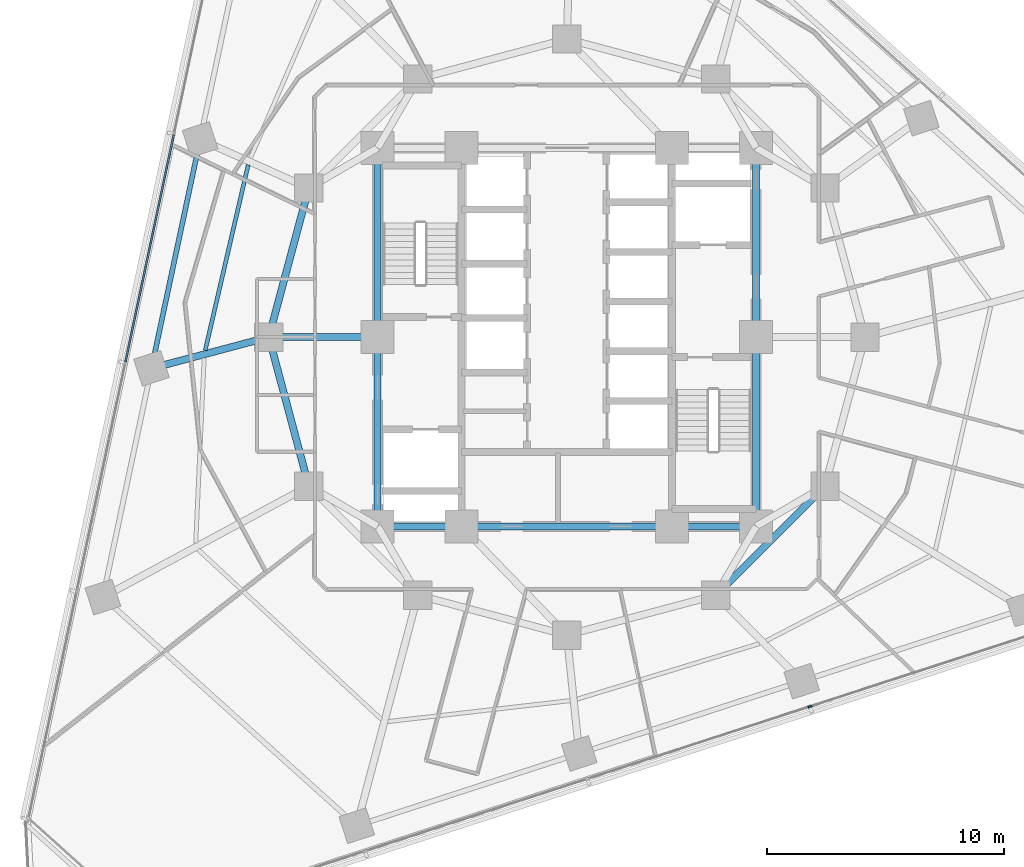
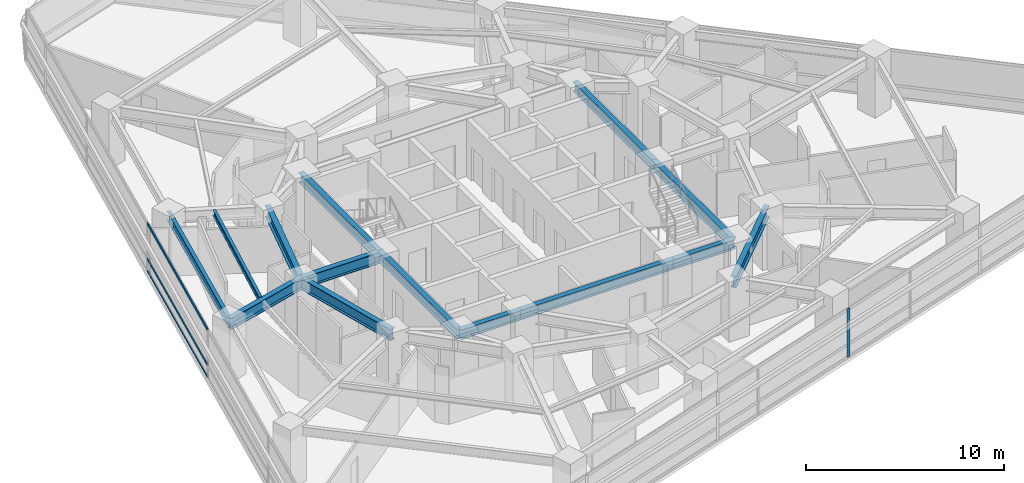
# One storey, part 3 of 13: 14 beams, 4 members, 2 elements without a shape of their own.
"""IFC4 building model written with IfcOpenShell, lengths in metres."""

from ifc_helpers import new_model, si_unit, direction, frame, origin, origin_2d, place, context, subcontext, project, spatial, rectangle, i_section, extrude, material, layer, layer_set, material_profile, profile_set, type_object, element, aggregate, save


model = new_model("IFC4")

# Units and contexts
model_context = context("Model", 3, precision=1e-05, world=origin(), true_north=direction((0.0, 1.0)))
body_context = subcontext(model_context, "Body", "Model", "MODEL_VIEW")
ifc_project = project(units=[si_unit("LENGTHUNIT", "METRE"), si_unit("AREAUNIT", "SQUARE_METRE"), si_unit("VOLUMEUNIT", "CUBIC_METRE"), si_unit("PLANEANGLEUNIT", "RADIAN"), si_unit("MASSUNIT", "GRAM", prefix="KILO")], contexts=[model_context])

# Site, building, storey
site_placement = place(None, origin())
site = spatial("IfcSite", under=ifc_project, at=site_placement, CompositionType="ELEMENT")
building_placement = place(site_placement, origin())
building = spatial("IfcBuilding", under=site, at=building_placement, Name="Terralouvre Media Tower", CompositionType="ELEMENT")
storey_placement = place(building_placement, frame((0.0, 0.0, 101.39990234375)))
storey = spatial("IfcBuildingStorey", under=building, at=storey_placement, Name="L25", CompositionType="ELEMENT", Elevation=101.39990234375)

# Beam
ifc_material_1 = material(Name="Structural steel S355J2", Category="steel")
ifc_material_profile_1 = material_profile(ifc_material_1, i_section(OverallWidth=0.169921875, OverallDepth=0.360107421875, WebThickness=0.008056640625, FlangeThickness=0.0126953125, at=origin_2d()), Name="IPE 360")
ifc_profile_set_1 = profile_set([ifc_material_profile_1], Name="Structural steel S355J2")
beam_type_1 = type_object("IfcBeamType", Name="Composite Floor Joist J-IPE360 (IPE 360)", PredefinedType="JOIST", material=ifc_profile_set_1)
beam_1_placement = place(storey_placement, frame((-13.47216796875, 7.28076171875, 3.320068359375), z_axis=(-0.225820426646, -0.974168945774, 0.0), x_axis=(0.974168945774, -0.225820426646, 0.0)))
element("IfcBeam", 1, at=beam_1_placement, inside=storey, type_object=beam_type_1, Name="L25 Framing Beam JT-L25-12", PredefinedType="JOIST", context=body_context, shape_type="SweptSolid", body=[
    extrude(i_section(OverallWidth=0.169921875, OverallDepth=0.360107421875, WebThickness=0.008056640625, FlangeThickness=0.0126953125, at=origin_2d()), origin(), (0.0, 0.0, 1.0), 8.05224609375),
])

# Curtain wall, members
ifc_material_2 = material(Name="Low-iron laminated double glazing with solar-control coating", Category="glass")
ifc_layer = layer(ifc_material_2, 0.1650390625, Name="Lower Media Tower Unitised Curtain Wall CW-02")
ifc_layer_set = layer_set([ifc_layer], Name="Low-iron laminated double glazing with solar-control coating")
curtain_wall_type = type_object("IfcCurtainWallType", Name="Lower Media Tower Unitised Curtain Wall CW-02", PredefinedType="NOTDEFINED", material=ifc_layer_set)
curtain_wall_1_placement = place(storey_placement, origin())
curtain_wall_1 = element("IfcCurtainWall", 2, at=curtain_wall_1_placement, inside=storey, type_object=curtain_wall_type, Name="L25 Facade Curtain Wall F2", PredefinedType="NOTDEFINED")
ifc_material_3 = material(Name="Anodised extruded aluminium 6063-T6", Category="aluminium")
ifc_material_profile_2 = material_profile(ifc_material_3, rectangle(XDim=0.074951171875, YDim=0.14990234375, at=origin_2d()), Name="ALU 75x150")
ifc_profile_set_2 = profile_set([ifc_material_profile_2], Name="Anodised extruded aluminium 6063-T6")
member_type_1 = type_object("IfcMemberType", Name="Curtain-Wall Horizontal Transom TR-150", PredefinedType="USERDEFINED", material=ifc_profile_set_2)
member_1_placement = place(storey_placement, frame((-16.617919921875, 8.54833984375, 0.03759765625), z_axis=(-0.207914695346, -0.978146962097, 0.0), x_axis=(0.978146962097, -0.207914695346, 0.0)))
member_1 = element("IfcMember", 3, at=member_1_placement, type_object=member_type_1, Name="CW-02 transom 3.1", ObjectType="TRANSOM", PredefinedType="USERDEFINED", context=body_context, shape_type="SweptSolid", body=[
    extrude(rectangle(XDim=0.074951171875, YDim=0.14990234375, at=origin_2d()), origin(), (0.0, 0.0, 1.0), 9.81298828125),
])
member_2_placement = place(storey_placement, frame((-16.617919921875, 8.54833984375, 0.800048828125), z_axis=(-0.207914695346, -0.978146962097, 0.0), x_axis=(0.978146962097, -0.207914695346, 0.0)))
member_2 = element("IfcMember", 4, at=member_2_placement, type_object=member_type_1, Name="CW-02 transom 3.2", ObjectType="TRANSOM", PredefinedType="USERDEFINED", context=body_context, shape_type="SweptSolid", body=[
    extrude(rectangle(XDim=0.074951171875, YDim=0.14990234375, at=origin_2d()), origin(), (0.0, 0.0, 1.0), 9.81298828125),
])
member_3_placement = place(storey_placement, frame((-16.617919921875, 8.54833984375, 2.962646484375), z_axis=(-0.207914695346, -0.978146962097, 0.0), x_axis=(0.978146962097, -0.207914695346, 0.0)))
member_3 = element("IfcMember", 5, at=member_3_placement, type_object=member_type_1, Name="CW-02 transom 3.3", ObjectType="TRANSOM", PredefinedType="USERDEFINED", context=body_context, shape_type="SweptSolid", body=[
    extrude(rectangle(XDim=0.074951171875, YDim=0.14990234375, at=origin_2d()), origin(), (0.0, 0.0, 1.0), 9.81298828125),
])
aggregate(curtain_wall_1, [member_1, member_2, member_3])

# Curtain wall, member
curtain_wall_2_placement = place(storey_placement, origin())
curtain_wall_2 = element("IfcCurtainWall", 6, at=curtain_wall_2_placement, inside=storey, type_object=curtain_wall_type, Name="L25 Facade Curtain Wall F0", PredefinedType="NOTDEFINED")
ifc_material_4 = material(Name="Anodised extruded aluminium 6063-T6", Category="aluminium")
ifc_material_profile_3 = material_profile(ifc_material_4, rectangle(XDim=0.074951171875, YDim=0.179931640625, at=origin_2d()), Name="ALU 75x180")
ifc_profile_set_3 = profile_set([ifc_material_profile_3], Name="Anodised extruded aluminium 6063-T6")
member_type_2 = type_object("IfcMemberType", Name="Curtain-Wall Vertical Mullion ML-180", PredefinedType="MULLION", material=ifc_profile_set_3)
member_4_placement = place(storey_placement, frame((10.274169921875, -15.621826171875, 0.0), z_axis=(0.0, 0.0, 1.0), x_axis=(-0.309017015439, 0.951056509451, 0.0)))
member_4 = element("IfcMember", 7, at=member_4_placement, type_object=member_type_2, Name="CW-02 mullion 4", PredefinedType="MULLION", context=body_context, shape_type="SweptSolid", body=[
    extrude(rectangle(XDim=0.074951171875, YDim=0.179931640625, at=origin_2d()), origin(), (0.0, 0.0, 1.0), 3.0),
])
aggregate(curtain_wall_2, [member_4])

# Beams
ifc_material_5 = material(Name="Structural steel S355J2", Category="steel")
ifc_material_profile_4 = material_profile(ifc_material_5, i_section(OverallWidth=0.2099609375, OverallDepth=0.550048828125, WebThickness=0.010986328125, FlangeThickness=0.01708984375, at=origin_2d()), Name="IPE 550")
ifc_profile_set_4 = profile_set([ifc_material_profile_4], Name="Structural steel S355J2")
beam_type_2 = type_object("IfcBeamType", Name="Perimeter Spandrel Beam SPB-550 (IPE 550)", PredefinedType="SPANDREL", material=ifc_profile_set_4)
beam_2_placement = place(storey_placement, frame((-15.5048828125, 8.35009765625, 3.22509765625), z_axis=(-0.207920177572, -0.97814579678, 0.0), x_axis=(0.97814579678, -0.207920177572, 0.0)))
element("IfcBeam", 8, at=beam_2_placement, inside=storey, type_object=beam_type_2, Name="L25 Framing Beam BM-L25-PR12", PredefinedType="SPANDREL", context=body_context, shape_type="SweptSolid", body=[
    extrude(i_section(OverallWidth=0.2099609375, OverallDepth=0.550048828125, WebThickness=0.010986328125, FlangeThickness=0.01708984375, at=origin_2d()), origin(), (0.0, 0.0, 1.0), 9.887939453125),
])
ifc_material_6 = material(Name="Structural steel S460M", Category="steel")
ifc_material_profile_5 = material_profile(ifc_material_6, i_section(OverallWidth=0.300048828125, OverallDepth=0.60009765625, WebThickness=0.015380859375, FlangeThickness=0.030029296875, at=origin_2d()), Name="HEB 600")
ifc_profile_set_5 = profile_set([ifc_material_profile_5], Name="Structural steel S460M")
beam_type_3 = type_object("IfcBeamType", Name="Primary Floor Girder B-HEB600 (HEB 600)", PredefinedType="BEAM", material=ifc_profile_set_5)
beam_3_placement = place(storey_placement, frame((-8.0, -8.0, 3.2001953125), z_axis=(1.0, 0.0, 0.0), x_axis=(0.0, 1.0, 0.0)))
element("IfcBeam", 9, at=beam_3_placement, inside=storey, type_object=beam_type_3, Name="L25 Framing Beam BM-L25-CPR01", PredefinedType="BEAM", context=body_context, shape_type="SweptSolid", body=[
    extrude(i_section(OverallWidth=0.300048828125, OverallDepth=0.60009765625, WebThickness=0.015380859375, FlangeThickness=0.030029296875, at=origin_2d()), origin(), (0.0, 0.0, 1.0), 3.550048828125),
])
beam_4_placement = place(storey_placement, frame((-4.449951171875, -8.0, 3.2001953125), z_axis=(1.0, 0.0, 0.0), x_axis=(0.0, 1.0, 0.0)))
element("IfcBeam", 10, at=beam_4_placement, inside=storey, type_object=beam_type_3, Name="L25 Framing Beam BM-L25-CPR02", PredefinedType="BEAM", context=body_context, shape_type="SweptSolid", body=[
    extrude(i_section(OverallWidth=0.300048828125, OverallDepth=0.60009765625, WebThickness=0.015380859375, FlangeThickness=0.030029296875, at=origin_2d()), origin(), (0.0, 0.0, 1.0), 8.89990234375),
])
beam_5_placement = place(storey_placement, frame((4.449951171875, -8.0, 3.2001953125), z_axis=(1.0, 0.0, 0.0), x_axis=(0.0, 1.0, 0.0)))
element("IfcBeam", 11, at=beam_5_placement, inside=storey, type_object=beam_type_3, Name="L25 Framing Beam BM-L25-CPR03", PredefinedType="BEAM", context=body_context, shape_type="SweptSolid", body=[
    extrude(i_section(OverallWidth=0.300048828125, OverallDepth=0.60009765625, WebThickness=0.015380859375, FlangeThickness=0.030029296875, at=origin_2d()), origin(), (0.0, 0.0, 1.0), 3.550048828125),
])
for number, where, z_axis, x_axis, name in (
    (12, (8.0, -8.0, 3.2001953125), (0.0, 1.0, 0.0), (-1.0, 0.0, 0.0), "L25 Framing Beam BM-L25-CPR04"),
    (13, (8.0, 0.0, 3.2001953125), (0.0, 1.0, 0.0), (-1.0, 0.0, 0.0), "L25 Framing Beam BM-L25-CPR05"),
    (14, (-8.0, 8.0, 3.2001953125), (0.0, -1.0, 0.0), (1.0, 0.0, 0.0), "L25 Framing Beam BM-L25-CPR09"),
    (15, (-8.0, 0.0, 3.2001953125), (0.0, -1.0, 0.0), (1.0, 0.0, 0.0), "L25 Framing Beam BM-L25-CPR10"),
):
    element("IfcBeam", number, at=place(storey_placement, frame(where, z_axis=z_axis, x_axis=x_axis)), inside=storey, type_object=beam_type_3, Name=name, PredefinedType="BEAM", context=body_context, shape_type="SweptSolid", body=[
        extrude(i_section(OverallWidth=0.300048828125, OverallDepth=0.60009765625, WebThickness=0.015380859375, FlangeThickness=0.030029296875, at=origin_2d()), origin(), (0.0, 0.0, 1.0), 8.0),
    ])
ifc_material_7 = material(Name="Structural steel S460M", Category="steel")
ifc_material_profile_6 = material_profile(ifc_material_7, i_section(OverallWidth=0.300048828125, OverallDepth=0.699951171875, WebThickness=0.01708984375, FlangeThickness=0.031982421875, at=origin_2d()), Name="HEB 700")
ifc_profile_set_6 = profile_set([ifc_material_profile_6], Name="Structural steel S460M")
beam_type_4 = type_object("IfcBeamType", Name="Primary Floor Girder B-HEB700 (HEB 700)", PredefinedType="BEAM", material=ifc_profile_set_6)
beam_6_placement = place(storey_placement, frame((6.300048828125, -10.911865234375, 3.150146484375), z_axis=(0.707106781187, 0.707106781187, 0.0), x_axis=(-0.707106781187, 0.707106781187, 0.0)))
element("IfcBeam", 16, at=beam_6_placement, inside=storey, type_object=beam_type_4, Name="L25 Framing Beam BM-L25-MR04", PredefinedType="BEAM", context=body_context, shape_type="SweptSolid", body=[
    extrude(i_section(OverallWidth=0.300048828125, OverallDepth=0.699951171875, WebThickness=0.01708984375, FlangeThickness=0.031982421875, at=origin_2d()), origin(), (0.0, 0.0, 1.0), 6.52197265625),
])
for number, where, z_axis, x_axis, name in (
    (17, (-10.911865234375, 6.300048828125, 3.150146484375), (-0.258838989821, -0.965920481897, 0.0), (0.965920481897, -0.258838989821, 0.0), "L25 Framing Beam BM-L25-MR11"),
    (18, (-12.60009765625, 0.0, 3.150146484375), (0.258838989821, -0.965920481897, 0.0), (0.965920481897, 0.258838989821, 0.0), "L25 Framing Beam BM-L25-MR12"),
):
    element("IfcBeam", number, at=place(storey_placement, frame(where, z_axis=z_axis, x_axis=x_axis)), inside=storey, type_object=beam_type_4, Name=name, PredefinedType="BEAM", context=body_context, shape_type="SweptSolid", body=[
        extrude(i_section(OverallWidth=0.300048828125, OverallDepth=0.699951171875, WebThickness=0.01708984375, FlangeThickness=0.031982421875, at=origin_2d()), origin(), (0.0, 0.0, 1.0), 6.522216796875),
    ])
beam_7_placement = place(storey_placement, frame((-8.0, 0.0, 3.150146484375), z_axis=(-1.0, 0.0, 0.0), x_axis=(0.0, -1.0, 0.0)))
element("IfcBeam", 19, at=beam_7_placement, inside=storey, type_object=beam_type_4, Name="L25 Framing Beam BM-L25-CM12", PredefinedType="BEAM", context=body_context, shape_type="SweptSolid", body=[
    extrude(i_section(OverallWidth=0.300048828125, OverallDepth=0.699951171875, WebThickness=0.01708984375, FlangeThickness=0.031982421875, at=origin_2d()), origin(), (0.0, 0.0, 1.0), 4.60009765625),
])
beam_8_placement = place(storey_placement, frame((-12.60009765625, 0.0, 3.150146484375), z_axis=(-0.966287014212, -0.257467291449, 0.0), x_axis=(0.257467291449, -0.966287014212, 0.0)))
element("IfcBeam", 20, at=beam_8_placement, inside=storey, type_object=beam_type_4, Name="L25 Framing Beam BM-L25-RD01", PredefinedType="BEAM", context=body_context, shape_type="SweptSolid", body=[
    extrude(i_section(OverallWidth=0.300048828125, OverallDepth=0.699951171875, WebThickness=0.01708984375, FlangeThickness=0.031982421875, at=origin_2d()), origin(), (0.0, 0.0, 1.0), 5.1337890625),
])

save(model, "model.ifc")
